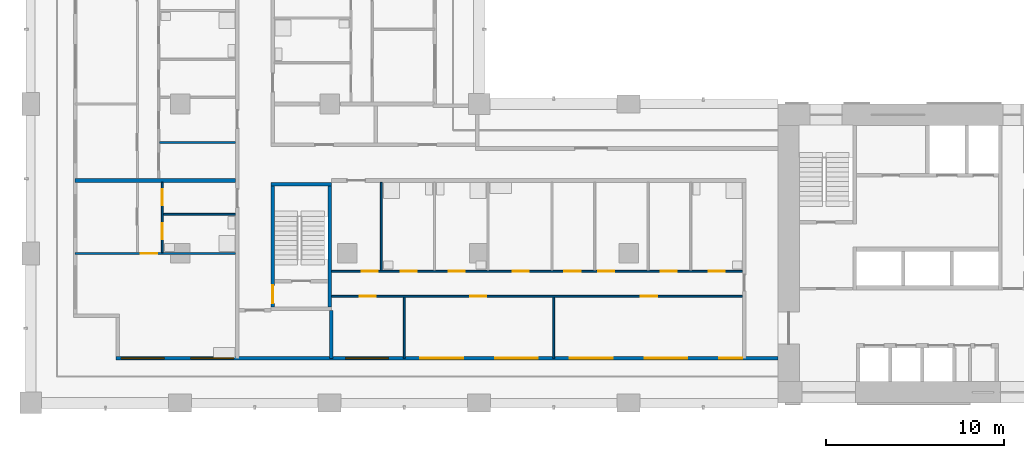
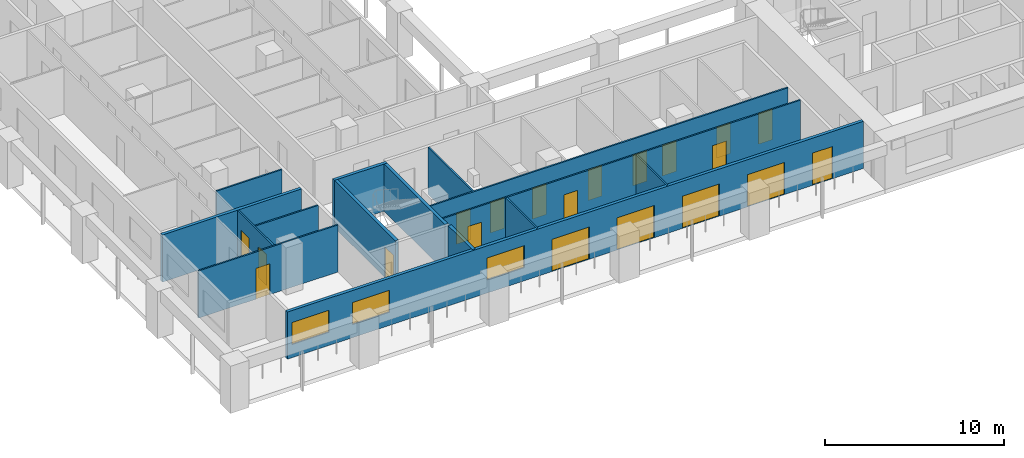
# One storey, part 2 of 16: 20 doors, 15 walls, 3 windows, 23 openings.
"""IFC4 building model written with IfcOpenShell, lengths in metres."""

from ifc_helpers import new_model, si_unit, direction, frame, frame_2d, origin, place, context, subcontext, project, spatial, rectangle, extrude, material, layer, layer_set, type_object, element, fill, save


model = new_model("IFC4")

# Units and contexts
model_context = context("Model", 3, precision=1e-05, world=origin(), true_north=direction((0.0, 1.0)))
body_context = subcontext(model_context, "Body", "Model", "MODEL_VIEW")
ifc_project = project(units=[si_unit("LENGTHUNIT", "METRE"), si_unit("AREAUNIT", "SQUARE_METRE"), si_unit("VOLUMEUNIT", "CUBIC_METRE"), si_unit("PLANEANGLEUNIT", "RADIAN"), si_unit("MASSUNIT", "GRAM", prefix="KILO")], contexts=[model_context])

# Site, building, storey
site_placement = place(None, origin())
site = spatial("IfcSite", under=ifc_project, at=site_placement, CompositionType="ELEMENT")
building_placement = place(site_placement, origin())
building = spatial("IfcBuilding", under=site, at=building_placement, Name="Vermilion Gate Residences", CompositionType="ELEMENT")
storey_placement = place(building_placement, frame((0.0, 0.0, 130.199951171875)))
storey = spatial("IfcBuildingStorey", under=building, at=storey_placement, Name="L33", CompositionType="ELEMENT", Elevation=130.199951171875)

# Wall, openings, doors, windows
ifc_material_1 = material(Name="Insulated steel stud wall with terracotta rainscreen", Category="masonry")
ifc_layer_1 = layer(ifc_material_1, 0.199951171875)
ifc_layer_set_1 = layer_set([ifc_layer_1], Name="EXTERNAL WALL 200 TERRACOTTA RAINSCREEN")
wall_type_1 = type_object("IfcWallType", Name="EXTERNAL WALL 200 TERRACOTTA RAINSCREEN", PredefinedType="SOLIDWALL", material=ifc_layer_set_1)
wall_1_placement = place(storey_placement, frame((4.800048828125, 10.89990234375, 0.0), z_axis=(0.0, 0.0, 1.0), x_axis=(1.0, 0.0, 0.0)))
wall_1 = element("IfcWall", 1, at=wall_1_placement, inside=storey, type_object=wall_type_1, Name="External wall", PredefinedType="SOLIDWALL", context=body_context, shape_type="SweptSolid", body=[
    extrude(rectangle(XDim=37.199951171875, YDim=0.199951171875, at=frame_2d((18.60009765625, 0.0))), origin(), (0.0, 0.0, 1.0), 3.219970703125),
])
opening_1_placement = place(wall_1_placement, frame((0.300048828125, 0.0, 0.89990234375)))
opening_1 = element("IfcOpeningElement", 2, at=opening_1_placement, cuts=wall_1, Name="Opening WE33012", PredefinedType="OPENING", context=body_context, shape_type="SweptSolid", body=[
    extrude(rectangle(XDim=2.39990234375, YDim=1.5, at=frame_2d((1.199951171875, 0.75))), frame((0.0, 0.10986328125, 0.0), z_axis=(0.0, -1.0, 0.0), x_axis=(1.0, 0.0, 0.0)), (0.0, 0.0, 1.0), 0.219970703125),
])
opening_2_placement = place(wall_1_placement, frame((4.199951171875, 0.0, 0.89990234375)))
opening_2 = element("IfcOpeningElement", 3, at=opening_2_placement, cuts=wall_1, Name="Opening WE33013", PredefinedType="OPENING", context=body_context, shape_type="SweptSolid", body=[
    extrude(rectangle(XDim=2.39990234375, YDim=1.5, at=frame_2d((1.199951171875, 0.75))), frame((0.0, 0.10986328125, 0.0), z_axis=(0.0, -1.0, 0.0), x_axis=(1.0, 0.0, 0.0)), (0.0, 0.0, 1.0), 0.219970703125),
])
opening_3_placement = place(wall_1_placement, frame((12.89990234375, 0.0, 0.89990234375)))
opening_3 = element("IfcOpeningElement", 4, at=opening_3_placement, cuts=wall_1, Name="Opening WE33014", PredefinedType="OPENING", context=body_context, shape_type="SweptSolid", body=[
    extrude(rectangle(XDim=2.39990234375, YDim=1.5, at=frame_2d((1.199951171875, 0.75))), frame((0.0, 0.10986328125, 0.0), z_axis=(0.0, -1.0, 0.0), x_axis=(1.0, 0.0, 0.0)), (0.0, 0.0, 1.0), 0.219970703125),
])
opening_4_placement = place(wall_1_placement, frame((17.10009765625, 0.0, 0.0)))
opening_4 = element("IfcOpeningElement", 5, at=opening_4_placement, cuts=wall_1, Name="Opening DE33015", PredefinedType="OPENING", context=body_context, shape_type="SweptSolid", body=[
    extrude(rectangle(XDim=2.39990234375, YDim=2.199951171875, at=frame_2d((1.199951171875, 1.10009765625))), frame((0.0, 0.10986328125, 0.0), z_axis=(0.0, -1.0, 0.0), x_axis=(1.0, 0.0, 0.0)), (0.0, 0.0, 1.0), 0.219970703125),
])
opening_5_placement = place(wall_1_placement, frame((21.300048828125, 0.0, 0.0)))
opening_5 = element("IfcOpeningElement", 6, at=opening_5_placement, cuts=wall_1, Name="Opening DE33016", PredefinedType="OPENING", context=body_context, shape_type="SweptSolid", body=[
    extrude(rectangle(XDim=2.39990234375, YDim=2.199951171875, at=frame_2d((1.199951171875, 1.10009765625))), frame((0.0, 0.10986328125, 0.0), z_axis=(0.0, -1.0, 0.0), x_axis=(1.0, 0.0, 0.0)), (0.0, 0.0, 1.0), 0.219970703125),
])
opening_6_placement = place(wall_1_placement, frame((25.5, 0.0, 0.0)))
opening_6 = element("IfcOpeningElement", 7, at=opening_6_placement, cuts=wall_1, Name="Opening DE33017", PredefinedType="OPENING", context=body_context, shape_type="SweptSolid", body=[
    extrude(rectangle(XDim=2.39990234375, YDim=2.199951171875, at=frame_2d((1.199951171875, 1.10009765625))), frame((0.0, 0.10986328125, 0.0), z_axis=(0.0, -1.0, 0.0), x_axis=(1.0, 0.0, 0.0)), (0.0, 0.0, 1.0), 0.219970703125),
])
opening_7_placement = place(wall_1_placement, frame((29.699951171875, 0.0, 0.0)))
opening_7 = element("IfcOpeningElement", 8, at=opening_7_placement, cuts=wall_1, Name="Opening DE33018", PredefinedType="OPENING", context=body_context, shape_type="SweptSolid", body=[
    extrude(rectangle(XDim=2.39990234375, YDim=2.199951171875, at=frame_2d((1.199951171875, 1.10009765625))), frame((0.0, 0.10986328125, 0.0), z_axis=(0.0, -1.0, 0.0), x_axis=(1.0, 0.0, 0.0)), (0.0, 0.0, 1.0), 0.219970703125),
])
opening_8_placement = place(wall_1_placement, frame((33.89990234375, 0.0, 0.0)))
opening_8 = element("IfcOpeningElement", 9, at=opening_8_placement, cuts=wall_1, Name="Opening DE33019", PredefinedType="OPENING", context=body_context, shape_type="SweptSolid", body=[
    extrude(rectangle(XDim=1.300048828125, YDim=2.199951171875, at=frame_2d((0.64990234375, 1.10009765625))), frame((0.0, 0.10986328125, 0.0), z_axis=(0.0, -1.0, 0.0), x_axis=(1.0, 0.0, 0.0)), (0.0, 0.0, 1.0), 0.219970703125),
])
ifc_material_2 = material(Name="Aluminium and clear glass", Category="aluminium")
door_type_1 = type_object("IfcDoorType", Name="SLIDING GLAZED DOOR 1300 X 2200", OperationType="DOUBLE_DOOR_SLIDING", PredefinedType="DOOR", material=ifc_material_2)
door_1_placement = place(opening_8_placement, origin())
door_1 = element("IfcDoor", 10, at=door_1_placement, inside=storey, type_object=door_type_1, Name="Loggia sliding door", OperationType="DOUBLE_DOOR_SLIDING", OverallHeight=2.199951171875, OverallWidth=1.300048828125, PredefinedType="DOOR", context=body_context, shape_type="SweptSolid", body=[
    extrude(rectangle(XDim=1.300048828125, YDim=2.199951171875, at=frame_2d((0.64990234375, 1.10009765625))), frame((0.0, 0.02490234375, 0.0), z_axis=(0.0, -1.0, 0.0), x_axis=(1.0, 0.0, 0.0)), (0.0, 0.0, 1.0), 0.050048828125),
])
fill(opening_8, door_1)
ifc_material_3 = material(Name="Aluminium and clear glass", Category="aluminium")
door_type_2 = type_object("IfcDoorType", Name="SLIDING GLAZED DOOR 2400 X 2200", OperationType="DOUBLE_DOOR_SLIDING", PredefinedType="DOOR", material=ifc_material_3)
door_2_placement = place(opening_4_placement, origin())
door_2 = element("IfcDoor", 11, at=door_2_placement, inside=storey, type_object=door_type_2, Name="Loggia sliding door", OperationType="DOUBLE_DOOR_SLIDING", OverallHeight=2.199951171875, OverallWidth=2.39990234375, PredefinedType="DOOR", context=body_context, shape_type="SweptSolid", body=[
    extrude(rectangle(XDim=2.39990234375, YDim=2.199951171875, at=frame_2d((1.199951171875, 1.10009765625))), frame((0.0, 0.02490234375, 0.0), z_axis=(0.0, -1.0, 0.0), x_axis=(1.0, 0.0, 0.0)), (0.0, 0.0, 1.0), 0.050048828125),
])
fill(opening_4, door_2)
door_3_placement = place(opening_5_placement, origin())
door_3 = element("IfcDoor", 12, at=door_3_placement, inside=storey, type_object=door_type_2, Name="Loggia sliding door", OperationType="DOUBLE_DOOR_SLIDING", OverallHeight=2.199951171875, OverallWidth=2.39990234375, PredefinedType="DOOR", context=body_context, shape_type="SweptSolid", body=[
    extrude(rectangle(XDim=2.39990234375, YDim=2.199951171875, at=frame_2d((1.199951171875, 1.10009765625))), frame((0.0, 0.02490234375, 0.0), z_axis=(0.0, -1.0, 0.0), x_axis=(1.0, 0.0, 0.0)), (0.0, 0.0, 1.0), 0.050048828125),
])
fill(opening_5, door_3)
door_4_placement = place(opening_6_placement, origin())
door_4 = element("IfcDoor", 13, at=door_4_placement, inside=storey, type_object=door_type_2, Name="Loggia sliding door", OperationType="DOUBLE_DOOR_SLIDING", OverallHeight=2.199951171875, OverallWidth=2.39990234375, PredefinedType="DOOR", context=body_context, shape_type="SweptSolid", body=[
    extrude(rectangle(XDim=2.39990234375, YDim=2.199951171875, at=frame_2d((1.199951171875, 1.10009765625))), frame((0.0, 0.02490234375, 0.0), z_axis=(0.0, -1.0, 0.0), x_axis=(1.0, 0.0, 0.0)), (0.0, 0.0, 1.0), 0.050048828125),
])
fill(opening_6, door_4)
door_5_placement = place(opening_7_placement, origin())
door_5 = element("IfcDoor", 14, at=door_5_placement, inside=storey, type_object=door_type_2, Name="Loggia sliding door", OperationType="DOUBLE_DOOR_SLIDING", OverallHeight=2.199951171875, OverallWidth=2.39990234375, PredefinedType="DOOR", context=body_context, shape_type="SweptSolid", body=[
    extrude(rectangle(XDim=2.39990234375, YDim=2.199951171875, at=frame_2d((1.199951171875, 1.10009765625))), frame((0.0, 0.02490234375, 0.0), z_axis=(0.0, -1.0, 0.0), x_axis=(1.0, 0.0, 0.0)), (0.0, 0.0, 1.0), 0.050048828125),
])
fill(opening_7, door_5)
ifc_material_4 = material(Name="Aluminium and clear glass", Category="aluminium")
window_type = type_object("IfcWindowType", Name="WINDOW 2400 X 1500", PartitioningType="SINGLE_PANEL", PredefinedType="WINDOW", material=ifc_material_4)
window_1_placement = place(opening_1_placement, origin())
window_1 = element("IfcWindow", 15, at=window_1_placement, inside=storey, type_object=window_type, Name="Window", OverallHeight=1.5, OverallWidth=2.39990234375, PartitioningType="SINGLE_PANEL", PredefinedType="WINDOW", context=body_context, shape_type="SweptSolid", body=[
    extrude(rectangle(XDim=2.39990234375, YDim=1.5, at=frame_2d((1.199951171875, 0.75))), frame((0.0, 0.030029296875, 0.0), z_axis=(0.0, -1.0, 0.0), x_axis=(1.0, 0.0, 0.0)), (0.0, 0.0, 1.0), 0.06005859375),
])
fill(opening_1, window_1)
window_2_placement = place(opening_2_placement, origin())
window_2 = element("IfcWindow", 16, at=window_2_placement, inside=storey, type_object=window_type, Name="Window", OverallHeight=1.5, OverallWidth=2.39990234375, PartitioningType="SINGLE_PANEL", PredefinedType="WINDOW", context=body_context, shape_type="SweptSolid", body=[
    extrude(rectangle(XDim=2.39990234375, YDim=1.5, at=frame_2d((1.199951171875, 0.75))), frame((0.0, 0.030029296875, 0.0), z_axis=(0.0, -1.0, 0.0), x_axis=(1.0, 0.0, 0.0)), (0.0, 0.0, 1.0), 0.06005859375),
])
fill(opening_2, window_2)
window_3_placement = place(opening_3_placement, origin())
window_3 = element("IfcWindow", 17, at=window_3_placement, inside=storey, type_object=window_type, Name="Window", OverallHeight=1.5, OverallWidth=2.39990234375, PartitioningType="SINGLE_PANEL", PredefinedType="WINDOW", context=body_context, shape_type="SweptSolid", body=[
    extrude(rectangle(XDim=2.39990234375, YDim=1.5, at=frame_2d((1.199951171875, 0.75))), frame((0.0, 0.030029296875, 0.0), z_axis=(0.0, -1.0, 0.0), x_axis=(1.0, 0.0, 0.0)), (0.0, 0.0, 1.0), 0.06005859375),
])
fill(opening_3, window_3)

# Wall, openings, doors
ifc_material_5 = material(Name="Plasterboard on steel studs", Category="steel")
ifc_layer_2 = layer(ifc_material_5, 0.10009765625)
ifc_layer_set_2 = layer_set([ifc_layer_2], Name="PARTITION 100")
wall_type_2 = type_object("IfcWallType", Name="PARTITION 100", PredefinedType="PARTITIONING", material=ifc_layer_set_2)
wall_2_placement = place(storey_placement, frame((16.89990234375, 14.39990234375, 0.0), z_axis=(0.0, 0.0, 1.0), x_axis=(1.0, 0.0, 0.0)))
wall_2 = element("IfcWall", 18, at=wall_2_placement, inside=storey, type_object=wall_type_2, Name="Partition", PredefinedType="PARTITIONING", context=body_context, shape_type="SweptSolid", body=[
    extrude(rectangle(XDim=23.10009765625, YDim=0.10009765625, at=frame_2d((11.550048828125, 0.0))), origin(), (0.0, 0.0, 1.0), 3.219970703125),
])
opening_9_placement = place(wall_2_placement, frame((1.60009765625, 0.0, 0.0)))
opening_9 = element("IfcOpeningElement", 19, at=opening_9_placement, cuts=wall_2, Name="Opening DA32002", PredefinedType="OPENING", context=body_context, shape_type="SweptSolid", body=[
    extrude(rectangle(XDim=0.89990234375, YDim=2.10009765625, at=frame_2d((0.449951171875, 1.050048828125))), frame((0.0, 0.06005859375, 0.0), z_axis=(0.0, -1.0, 0.0), x_axis=(1.0, 0.0, 0.0)), (0.0, 0.0, 1.0), 0.1201171875),
])
opening_10_placement = place(wall_2_placement, frame((7.800048828125, 0.0, 0.0)))
opening_10 = element("IfcOpeningElement", 20, at=opening_10_placement, cuts=wall_2, Name="Opening DA32003", PredefinedType="OPENING", context=body_context, shape_type="SweptSolid", body=[
    extrude(rectangle(XDim=0.89990234375, YDim=2.10009765625, at=frame_2d((0.449951171875, 1.050048828125))), frame((0.0, 0.06005859375, 0.0), z_axis=(0.0, -1.0, 0.0), x_axis=(1.0, 0.0, 0.0)), (0.0, 0.0, 1.0), 0.1201171875),
])
opening_11_placement = place(wall_2_placement, frame((17.39990234375, 0.0, 0.0)))
opening_11 = element("IfcOpeningElement", 21, at=opening_11_placement, cuts=wall_2, Name="Opening DA32004", PredefinedType="OPENING", context=body_context, shape_type="SweptSolid", body=[
    extrude(rectangle(XDim=0.89990234375, YDim=2.10009765625, at=frame_2d((0.449951171875, 1.050048828125))), frame((0.0, 0.06005859375, 0.0), z_axis=(0.0, -1.0, 0.0), x_axis=(1.0, 0.0, 0.0)), (0.0, 0.0, 1.0), 0.1201171875),
])
ifc_material_6 = material(Name="Timber", Category="wood")
door_type_3 = type_object("IfcDoorType", Name="INTERIOR DOOR 900 X 2100", OperationType="SINGLE_SWING_LEFT", PredefinedType="DOOR", material=ifc_material_6)
door_6_placement = place(opening_9_placement, frame((0.89990234375, 0.0, 0.0), z_axis=(0.0, 0.0, 1.0), x_axis=(-1.0, 0.0, 0.0)))
door_6 = element("IfcDoor", 22, at=door_6_placement, inside=storey, type_object=door_type_3, Name="Interior door", OperationType="SINGLE_SWING_LEFT", OverallHeight=2.10009765625, OverallWidth=0.89990234375, PredefinedType="DOOR", context=body_context, shape_type="SweptSolid", body=[
    extrude(rectangle(XDim=0.89990234375, YDim=2.10009765625, at=frame_2d((0.449951171875, 1.050048828125))), frame((0.0, 0.02490234375, 0.0), z_axis=(0.0, -1.0, 0.0), x_axis=(1.0, 0.0, 0.0)), (0.0, 0.0, 1.0), 0.050048828125),
])
fill(opening_9, door_6)
door_7_placement = place(opening_10_placement, frame((0.89990234375, 0.0, 0.0), z_axis=(0.0, 0.0, 1.0), x_axis=(-1.0, 0.0, 0.0)))
door_7 = element("IfcDoor", 23, at=door_7_placement, inside=storey, type_object=door_type_3, Name="Interior door", OperationType="SINGLE_SWING_RIGHT", OverallHeight=2.10009765625, OverallWidth=0.89990234375, PredefinedType="DOOR", context=body_context, shape_type="SweptSolid", body=[
    extrude(rectangle(XDim=0.89990234375, YDim=2.10009765625, at=frame_2d((0.449951171875, 1.050048828125))), frame((0.0, 0.02490234375, 0.0), z_axis=(0.0, -1.0, 0.0), x_axis=(1.0, 0.0, 0.0)), (0.0, 0.0, 1.0), 0.050048828125),
])
fill(opening_10, door_7)
door_8_placement = place(opening_11_placement, frame((0.89990234375, 0.0, 0.0), z_axis=(0.0, 0.0, 1.0), x_axis=(-1.0, 0.0, 0.0)))
door_8 = element("IfcDoor", 24, at=door_8_placement, inside=storey, type_object=door_type_3, Name="Interior door", OperationType="SINGLE_SWING_RIGHT", OverallHeight=2.10009765625, OverallWidth=0.89990234375, PredefinedType="DOOR", context=body_context, shape_type="SweptSolid", body=[
    extrude(rectangle(XDim=0.89990234375, YDim=2.10009765625, at=frame_2d((0.449951171875, 1.050048828125))), frame((0.0, 0.02490234375, 0.0), z_axis=(0.0, -1.0, 0.0), x_axis=(1.0, 0.0, 0.0)), (0.0, 0.0, 1.0), 0.050048828125),
])
fill(opening_11, door_8)

wall_3_placement = place(storey_placement, frame((16.89990234375, 15.800048828125, 0.0), z_axis=(0.0, 0.0, 1.0), x_axis=(1.0, 0.0, 0.0)))
wall_3 = element("IfcWall", 25, at=wall_3_placement, inside=storey, type_object=wall_type_2, Name="Partition", PredefinedType="PARTITIONING", context=body_context, shape_type="SweptSolid", body=[
    extrude(rectangle(XDim=23.10009765625, YDim=0.10009765625, at=frame_2d((11.550048828125, 0.0))), origin(), (0.0, 0.0, 1.0), 3.219970703125),
])
opening_12_placement = place(wall_3_placement, frame((1.699951171875, 0.0, 0.0)))
opening_12 = element("IfcOpeningElement", 26, at=opening_12_placement, cuts=wall_3, Name="Opening DA32005", PredefinedType="OPENING", context=body_context, shape_type="SweptSolid", body=[
    extrude(rectangle(XDim=0.89990234375, YDim=2.10009765625, at=frame_2d((0.449951171875, 1.050048828125))), frame((0.0, 0.06005859375, 0.0), z_axis=(0.0, -1.0, 0.0), x_axis=(1.0, 0.0, 0.0)), (0.0, 0.0, 1.0), 0.1201171875),
])
opening_13_placement = place(wall_3_placement, frame((3.89990234375, 0.0, 0.0)))
opening_13 = element("IfcOpeningElement", 27, at=opening_13_placement, cuts=wall_3, Name="Opening DA32006", PredefinedType="OPENING", context=body_context, shape_type="SweptSolid", body=[
    extrude(rectangle(XDim=0.89990234375, YDim=2.10009765625, at=frame_2d((0.449951171875, 1.050048828125))), frame((0.0, 0.06005859375, 0.0), z_axis=(0.0, -1.0, 0.0), x_axis=(1.0, 0.0, 0.0)), (0.0, 0.0, 1.0), 0.1201171875),
])
opening_14_placement = place(wall_3_placement, frame((6.60009765625, 0.0, 0.0)))
opening_14 = element("IfcOpeningElement", 28, at=opening_14_placement, cuts=wall_3, Name="Opening DA32007", PredefinedType="OPENING", context=body_context, shape_type="SweptSolid", body=[
    extrude(rectangle(XDim=0.89990234375, YDim=2.10009765625, at=frame_2d((0.449951171875, 1.050048828125))), frame((0.0, 0.06005859375, 0.0), z_axis=(0.0, -1.0, 0.0), x_axis=(1.0, 0.0, 0.0)), (0.0, 0.0, 1.0), 0.1201171875),
])
opening_15_placement = place(wall_3_placement, frame((10.199951171875, 0.0, 0.0)))
opening_15 = element("IfcOpeningElement", 29, at=opening_15_placement, cuts=wall_3, Name="Opening DA32008", PredefinedType="OPENING", context=body_context, shape_type="SweptSolid", body=[
    extrude(rectangle(XDim=0.89990234375, YDim=2.10009765625, at=frame_2d((0.449951171875, 1.050048828125))), frame((0.0, 0.06005859375, 0.0), z_axis=(0.0, -1.0, 0.0), x_axis=(1.0, 0.0, 0.0)), (0.0, 0.0, 1.0), 0.1201171875),
])
opening_16_placement = place(wall_3_placement, frame((13.10009765625, 0.0, 0.0)))
opening_16 = element("IfcOpeningElement", 30, at=opening_16_placement, cuts=wall_3, Name="Opening DA32009", PredefinedType="OPENING", context=body_context, shape_type="SweptSolid", body=[
    extrude(rectangle(XDim=0.89990234375, YDim=2.10009765625, at=frame_2d((0.449951171875, 1.050048828125))), frame((0.0, 0.06005859375, 0.0), z_axis=(0.0, -1.0, 0.0), x_axis=(1.0, 0.0, 0.0)), (0.0, 0.0, 1.0), 0.1201171875),
])
opening_17_placement = place(wall_3_placement, frame((15.0, 0.0, 0.0)))
opening_17 = element("IfcOpeningElement", 31, at=opening_17_placement, cuts=wall_3, Name="Opening DA32010", PredefinedType="OPENING", context=body_context, shape_type="SweptSolid", body=[
    extrude(rectangle(XDim=0.89990234375, YDim=2.10009765625, at=frame_2d((0.449951171875, 1.050048828125))), frame((0.0, 0.06005859375, 0.0), z_axis=(0.0, -1.0, 0.0), x_axis=(1.0, 0.0, 0.0)), (0.0, 0.0, 1.0), 0.1201171875),
])
opening_18_placement = place(wall_3_placement, frame((18.5, 0.0, 0.0)))
opening_18 = element("IfcOpeningElement", 32, at=opening_18_placement, cuts=wall_3, Name="Opening DA32011", PredefinedType="OPENING", context=body_context, shape_type="SweptSolid", body=[
    extrude(rectangle(XDim=0.89990234375, YDim=2.10009765625, at=frame_2d((0.449951171875, 1.050048828125))), frame((0.0, 0.06005859375, 0.0), z_axis=(0.0, -1.0, 0.0), x_axis=(1.0, 0.0, 0.0)), (0.0, 0.0, 1.0), 0.1201171875),
])
opening_19_placement = place(wall_3_placement, frame((21.199951171875, 0.0, 0.0)))
opening_19 = element("IfcOpeningElement", 33, at=opening_19_placement, cuts=wall_3, Name="Opening DA32012", PredefinedType="OPENING", context=body_context, shape_type="SweptSolid", body=[
    extrude(rectangle(XDim=0.89990234375, YDim=2.10009765625, at=frame_2d((0.449951171875, 1.050048828125))), frame((0.0, 0.06005859375, 0.0), z_axis=(0.0, -1.0, 0.0), x_axis=(1.0, 0.0, 0.0)), (0.0, 0.0, 1.0), 0.1201171875),
])
door_9_placement = place(opening_12_placement, origin())
door_9 = element("IfcDoor", 34, at=door_9_placement, inside=storey, type_object=door_type_3, Name="Interior door", OperationType="SINGLE_SWING_RIGHT", OverallHeight=2.10009765625, OverallWidth=0.89990234375, PredefinedType="DOOR", context=body_context, shape_type="SweptSolid", body=[
    extrude(rectangle(XDim=0.89990234375, YDim=2.10009765625, at=frame_2d((0.449951171875, 1.050048828125))), frame((0.0, 0.02490234375, 0.0), z_axis=(0.0, -1.0, 0.0), x_axis=(1.0, 0.0, 0.0)), (0.0, 0.0, 1.0), 0.050048828125),
])
fill(opening_12, door_9)
door_10_placement = place(opening_13_placement, origin())
door_10 = element("IfcDoor", 35, at=door_10_placement, inside=storey, type_object=door_type_3, Name="Interior door", OperationType="SINGLE_SWING_LEFT", OverallHeight=2.10009765625, OverallWidth=0.89990234375, PredefinedType="DOOR", context=body_context, shape_type="SweptSolid", body=[
    extrude(rectangle(XDim=0.89990234375, YDim=2.10009765625, at=frame_2d((0.449951171875, 1.050048828125))), frame((0.0, 0.02490234375, 0.0), z_axis=(0.0, -1.0, 0.0), x_axis=(1.0, 0.0, 0.0)), (0.0, 0.0, 1.0), 0.050048828125),
])
fill(opening_13, door_10)
door_11_placement = place(opening_14_placement, origin())
door_11 = element("IfcDoor", 36, at=door_11_placement, inside=storey, type_object=door_type_3, Name="Interior door", OperationType="SINGLE_SWING_RIGHT", OverallHeight=2.10009765625, OverallWidth=0.89990234375, PredefinedType="DOOR", context=body_context, shape_type="SweptSolid", body=[
    extrude(rectangle(XDim=0.89990234375, YDim=2.10009765625, at=frame_2d((0.449951171875, 1.050048828125))), frame((0.0, 0.02490234375, 0.0), z_axis=(0.0, -1.0, 0.0), x_axis=(1.0, 0.0, 0.0)), (0.0, 0.0, 1.0), 0.050048828125),
])
fill(opening_14, door_11)
door_12_placement = place(opening_15_placement, origin())
door_12 = element("IfcDoor", 37, at=door_12_placement, inside=storey, type_object=door_type_3, Name="Interior door", OperationType="SINGLE_SWING_RIGHT", OverallHeight=2.10009765625, OverallWidth=0.89990234375, PredefinedType="DOOR", context=body_context, shape_type="SweptSolid", body=[
    extrude(rectangle(XDim=0.89990234375, YDim=2.10009765625, at=frame_2d((0.449951171875, 1.050048828125))), frame((0.0, 0.02490234375, 0.0), z_axis=(0.0, -1.0, 0.0), x_axis=(1.0, 0.0, 0.0)), (0.0, 0.0, 1.0), 0.050048828125),
])
fill(opening_15, door_12)
door_13_placement = place(opening_16_placement, origin())
door_13 = element("IfcDoor", 38, at=door_13_placement, inside=storey, type_object=door_type_3, Name="Interior door", OperationType="SINGLE_SWING_LEFT", OverallHeight=2.10009765625, OverallWidth=0.89990234375, PredefinedType="DOOR", context=body_context, shape_type="SweptSolid", body=[
    extrude(rectangle(XDim=0.89990234375, YDim=2.10009765625, at=frame_2d((0.449951171875, 1.050048828125))), frame((0.0, 0.02490234375, 0.0), z_axis=(0.0, -1.0, 0.0), x_axis=(1.0, 0.0, 0.0)), (0.0, 0.0, 1.0), 0.050048828125),
])
fill(opening_16, door_13)
door_14_placement = place(opening_17_placement, origin())
door_14 = element("IfcDoor", 39, at=door_14_placement, inside=storey, type_object=door_type_3, Name="Interior door", OperationType="SINGLE_SWING_LEFT", OverallHeight=2.10009765625, OverallWidth=0.89990234375, PredefinedType="DOOR", context=body_context, shape_type="SweptSolid", body=[
    extrude(rectangle(XDim=0.89990234375, YDim=2.10009765625, at=frame_2d((0.449951171875, 1.050048828125))), frame((0.0, 0.02490234375, 0.0), z_axis=(0.0, -1.0, 0.0), x_axis=(1.0, 0.0, 0.0)), (0.0, 0.0, 1.0), 0.050048828125),
])
fill(opening_17, door_14)
door_15_placement = place(opening_18_placement, origin())
door_15 = element("IfcDoor", 40, at=door_15_placement, inside=storey, type_object=door_type_3, Name="Interior door", OperationType="SINGLE_SWING_LEFT", OverallHeight=2.10009765625, OverallWidth=0.89990234375, PredefinedType="DOOR", context=body_context, shape_type="SweptSolid", body=[
    extrude(rectangle(XDim=0.89990234375, YDim=2.10009765625, at=frame_2d((0.449951171875, 1.050048828125))), frame((0.0, 0.02490234375, 0.0), z_axis=(0.0, -1.0, 0.0), x_axis=(1.0, 0.0, 0.0)), (0.0, 0.0, 1.0), 0.050048828125),
])
fill(opening_18, door_15)
door_16_placement = place(opening_19_placement, origin())
door_16 = element("IfcDoor", 41, at=door_16_placement, inside=storey, type_object=door_type_3, Name="Interior door", OperationType="SINGLE_SWING_RIGHT", OverallHeight=2.10009765625, OverallWidth=0.89990234375, PredefinedType="DOOR", context=body_context, shape_type="SweptSolid", body=[
    extrude(rectangle(XDim=0.89990234375, YDim=2.10009765625, at=frame_2d((0.449951171875, 1.050048828125))), frame((0.0, 0.02490234375, 0.0), z_axis=(0.0, -1.0, 0.0), x_axis=(1.0, 0.0, 0.0)), (0.0, 0.0, 1.0), 0.050048828125),
])
fill(opening_19, door_16)

# Wall, opening, door
wall_4_placement = place(storey_placement, frame((2.5, 16.800048828125, 0.0), z_axis=(0.0, 0.0, 1.0), x_axis=(1.0, 0.0, 0.0)))
wall_4 = element("IfcWall", 42, at=wall_4_placement, inside=storey, type_object=wall_type_2, Name="Partition", PredefinedType="PARTITIONING", context=body_context, shape_type="SweptSolid", body=[
    extrude(rectangle(XDim=9.0, YDim=0.10009765625, at=frame_2d((4.5, 0.0))), origin(), (0.0, 0.0, 1.0), 3.219970703125),
])
opening_20_placement = place(wall_4_placement, frame((3.699951171875, 0.0, 0.0)))
opening_20 = element("IfcOpeningElement", 43, at=opening_20_placement, cuts=wall_4, Name="Opening DA32013", PredefinedType="OPENING", context=body_context, shape_type="SweptSolid", body=[
    extrude(rectangle(XDim=0.89990234375, YDim=2.10009765625, at=frame_2d((0.449951171875, 1.050048828125))), frame((0.0, 0.06005859375, 0.0), z_axis=(0.0, -1.0, 0.0), x_axis=(1.0, 0.0, 0.0)), (0.0, 0.0, 1.0), 0.1201171875),
])
door_17_placement = place(opening_20_placement, frame((0.89990234375, 0.0, 0.0), z_axis=(0.0, 0.0, 1.0), x_axis=(-1.0, 0.0, 0.0)))
door_17 = element("IfcDoor", 44, at=door_17_placement, inside=storey, type_object=door_type_3, Name="Interior door", OperationType="SINGLE_SWING_LEFT", OverallHeight=2.10009765625, OverallWidth=0.89990234375, PredefinedType="DOOR", context=body_context, shape_type="SweptSolid", body=[
    extrude(rectangle(XDim=0.89990234375, YDim=2.10009765625, at=frame_2d((0.449951171875, 1.050048828125))), frame((0.0, 0.02490234375, 0.0), z_axis=(0.0, -1.0, 0.0), x_axis=(1.0, 0.0, 0.0)), (0.0, 0.0, 1.0), 0.050048828125),
])
fill(opening_20, door_17)

# Walls
wall_5_placement = place(storey_placement, frame((7.449951171875, 19.0, 0.0), z_axis=(0.0, 0.0, 1.0), x_axis=(1.0, 0.0, 0.0)))
element("IfcWall", 45, at=wall_5_placement, inside=storey, type_object=wall_type_2, Name="Partition", PredefinedType="PARTITIONING", context=body_context, shape_type="SweptSolid", body=[
    extrude(rectangle(XDim=4.050048828125, YDim=0.10009765625, at=frame_2d((2.02490234375, 0.0))), origin(), (0.0, 0.0, 1.0), 3.219970703125),
])
wall_6_placement = place(storey_placement, frame((7.25, 23.037109375, 0.0), z_axis=(0.0, 0.0, 1.0), x_axis=(1.0, 0.0, 0.0)))
element("IfcWall", 46, at=wall_6_placement, inside=storey, type_object=wall_type_2, Name="Partition", PredefinedType="PARTITIONING", context=body_context, shape_type="SweptSolid", body=[
    extrude(rectangle(XDim=4.25, YDim=0.10009765625, at=frame_2d((2.125, 0.0))), origin(), (0.0, 0.0, 1.0), 3.219970703125),
])

# Wall, openings, doors
wall_7_placement = place(storey_placement, frame((7.39990234375, 16.85009765625, 0.0), z_axis=(0.0, 0.0, 1.0), x_axis=(0.0, 1.0, 0.0)))
wall_7 = element("IfcWall", 47, at=wall_7_placement, inside=storey, type_object=wall_type_2, Name="Partition", PredefinedType="PARTITIONING", context=body_context, shape_type="SweptSolid", body=[
    extrude(rectangle(XDim=3.949951171875, YDim=0.10009765625, at=frame_2d((1.97509765625, 0.0))), origin(), (0.0, 0.0, 1.0), 3.219970703125),
])
opening_21_placement = place(wall_7_placement, frame((2.64990234375, 0.0, 0.0)))
opening_21 = element("IfcOpeningElement", 48, at=opening_21_placement, cuts=wall_7, Name="Opening DA32034", PredefinedType="OPENING", context=body_context, shape_type="SweptSolid", body=[
    extrude(rectangle(XDim=0.89990234375, YDim=2.10009765625, at=frame_2d((0.449951171875, 1.050048828125))), frame((0.0, 0.06005859375, 0.0), z_axis=(0.0, -1.0, 0.0), x_axis=(1.0, 0.0, 0.0)), (0.0, 0.0, 1.0), 0.1201171875),
])
opening_22_placement = place(wall_7_placement, frame((0.75, 0.0, 0.0)))
opening_22 = element("IfcOpeningElement", 49, at=opening_22_placement, cuts=wall_7, Name="Opening DA32035", PredefinedType="OPENING", context=body_context, shape_type="SweptSolid", body=[
    extrude(rectangle(XDim=0.89990234375, YDim=2.10009765625, at=frame_2d((0.449951171875, 1.050048828125))), frame((0.0, 0.06005859375, 0.0), z_axis=(0.0, -1.0, 0.0), x_axis=(1.0, 0.0, 0.0)), (0.0, 0.0, 1.0), 0.1201171875),
])
door_18_placement = place(opening_21_placement, origin())
door_18 = element("IfcDoor", 50, at=door_18_placement, inside=storey, type_object=door_type_3, Name="Interior door", OperationType="SINGLE_SWING_RIGHT", OverallHeight=2.10009765625, OverallWidth=0.89990234375, PredefinedType="DOOR", context=body_context, shape_type="SweptSolid", body=[
    extrude(rectangle(XDim=0.89990234375, YDim=2.10009765625, at=frame_2d((0.449951171875, 1.050048828125))), frame((0.0, 0.02490234375, 0.0), z_axis=(0.0, -1.0, 0.0), x_axis=(1.0, 0.0, 0.0)), (0.0, 0.0, 1.0), 0.050048828125),
])
fill(opening_21, door_18)
door_19_placement = place(opening_22_placement, frame((0.89990234375, 0.0, 0.0), z_axis=(0.0, 0.0, 1.0), x_axis=(-1.0, 0.0, 0.0)))
door_19 = element("IfcDoor", 51, at=door_19_placement, inside=storey, type_object=door_type_3, Name="Interior door", OperationType="SINGLE_SWING_RIGHT", OverallHeight=2.10009765625, OverallWidth=0.89990234375, PredefinedType="DOOR", context=body_context, shape_type="SweptSolid", body=[
    extrude(rectangle(XDim=0.89990234375, YDim=2.10009765625, at=frame_2d((0.449951171875, 1.050048828125))), frame((0.0, 0.02490234375, 0.0), z_axis=(0.0, -1.0, 0.0), x_axis=(1.0, 0.0, 0.0)), (0.0, 0.0, 1.0), 0.050048828125),
])
fill(opening_22, door_19)

# Walls
wall_8_placement = place(storey_placement, frame((19.699951171875, 15.85009765625, 0.0), z_axis=(0.0, 0.0, 1.0), x_axis=(0.0, 1.0, 0.0)))
element("IfcWall", 52, at=wall_8_placement, inside=storey, type_object=wall_type_2, Name="Partition", PredefinedType="PARTITIONING", context=body_context, shape_type="SweptSolid", body=[
    extrude(rectangle(XDim=4.949951171875, YDim=0.10009765625, at=frame_2d((2.47509765625, 0.0))), origin(), (0.0, 0.0, 1.0), 3.219970703125),
])
for number, where, z_axis, x_axis, name in (
    (53, (21.0, 10.89990234375, 0.0), (0.0, 0.0, 1.0), (0.0, 1.0, 0.0), "Partition"),
    (54, (29.39990234375, 10.89990234375, 0.0), (0.0, 0.0, 1.0), (0.0, 1.0, 0.0), "Partition"),
):
    element("IfcWall", number, at=place(storey_placement, frame(where, z_axis=z_axis, x_axis=x_axis)), inside=storey, type_object=wall_type_2, Name=name, PredefinedType="PARTITIONING", context=body_context, shape_type="SweptSolid", body=[
        extrude(rectangle(XDim=3.4501953125, YDim=0.10009765625, at=frame_2d((1.72509765625, 0.0))), origin(), (0.0, 0.0, 1.0), 3.219970703125),
    ])
ifc_material_7 = material(Name="Fire-rated plasterboard on steel studs", Category="steel")
ifc_layer_3 = layer(ifc_material_7, 0.199951171875)
ifc_layer_set_3 = layer_set([ifc_layer_3], Name="PARTY WALL 200 EI 120")
wall_type_3 = type_object("IfcWallType", Name="PARTY WALL 200 EI 120", PredefinedType="PARTITIONING", material=ifc_layer_set_3)
wall_9_placement = place(storey_placement, frame((2.5, 20.89990234375, 0.0), z_axis=(0.0, 0.0, 1.0), x_axis=(1.0, 0.0, 0.0)))
element("IfcWall", 55, at=wall_9_placement, inside=storey, type_object=wall_type_3, Name="Party and corridor wall", PredefinedType="PARTITIONING", context=body_context, shape_type="SweptSolid", body=[
    extrude(rectangle(XDim=9.0, YDim=0.199951171875, at=frame_2d((4.5, 0.0))), origin(), (0.0, 0.0, 1.0), 3.219970703125),
])
wall_10_placement = place(storey_placement, frame((16.89990234375, 10.89990234375, 0.0), z_axis=(0.0, 0.0, 1.0), x_axis=(0.0, 1.0, 0.0)))
element("IfcWall", 56, at=wall_10_placement, inside=storey, type_object=wall_type_3, Name="Party and corridor wall", PredefinedType="PARTITIONING", context=body_context, shape_type="SweptSolid", body=[
    extrude(rectangle(XDim=2.7001953125, YDim=0.199951171875, at=frame_2d((1.35009765625, 0.0))), origin(), (0.0, 0.0, 1.0), 3.219970703125),
])

# Wall, opening, door
ifc_material_8 = material(Name="Concrete C60", Category="concrete")
ifc_layer_4 = layer(ifc_material_8, 0.199951171875)
ifc_layer_set_4 = layer_set([ifc_layer_4], Name="RC CORE INTERNAL WALL 200 C60")
wall_type_4 = type_object("IfcWallType", Name="RC CORE INTERNAL WALL 200 C60", PredefinedType="SHEAR", material=ifc_layer_set_4)
wall_11_placement = place(storey_placement, frame((13.60009765625, 13.800048828125, 0.0), z_axis=(0.0, 0.0, 1.0), x_axis=(0.0, 1.0, 0.0)))
wall_11 = element("IfcWall", 57, at=wall_11_placement, inside=storey, type_object=wall_type_4, Name="Core internal wall C33-W", PredefinedType="SHEAR", context=body_context, shape_type="SweptSolid", body=[
    extrude(rectangle(XDim=6.800048828125, YDim=0.199951171875, at=frame_2d((3.39990234375, 0.0))), origin(), (0.0, 0.0, 1.0), 3.219970703125),
])
opening_23_placement = place(wall_11_placement, frame((0.199951171875, 0.0, 0.0)))
opening_23 = element("IfcOpeningElement", 58, at=opening_23_placement, cuts=wall_11, Name="Opening DK33201", PredefinedType="OPENING", context=body_context, shape_type="SweptSolid", body=[
    extrude(rectangle(XDim=1.0, YDim=2.10009765625, at=frame_2d((0.5, 1.050048828125))), frame((0.0, 0.10986328125, 0.0), z_axis=(0.0, -1.0, 0.0), x_axis=(1.0, 0.0, 0.0)), (0.0, 0.0, 1.0), 0.219970703125),
])
ifc_material_9 = material(Name="Steel", Category="steel")
door_type_4 = type_object("IfcDoorType", Name="FIRE DOOR FD60 1000 X 2100", OperationType="SINGLE_SWING_LEFT", PredefinedType="DOOR", material=ifc_material_9)
door_20_placement = place(opening_23_placement, frame((1.0, 0.0, 0.0), z_axis=(0.0, 0.0, 1.0), x_axis=(-1.0, 0.0, 0.0)))
door_20 = element("IfcDoor", 59, at=door_20_placement, inside=storey, type_object=door_type_4, Name="Stair vestibule door C33", OperationType="SINGLE_SWING_LEFT", OverallHeight=2.10009765625, OverallWidth=1.0, PredefinedType="DOOR", context=body_context, shape_type="SweptSolid", body=[
    extrude(rectangle(XDim=1.0, YDim=2.10009765625, at=frame_2d((0.5, 1.050048828125))), frame((0.0, 0.02490234375, 0.0), z_axis=(0.0, -1.0, 0.0), x_axis=(1.0, 0.0, 0.0)), (0.0, 0.0, 1.0), 0.050048828125),
])
fill(opening_23, door_20)

# Walls
wall_12_placement = place(storey_placement, frame((16.800048828125, 13.800048828125, 0.0), z_axis=(0.0, 0.0, 1.0), x_axis=(0.0, 1.0, 0.0)))
element("IfcWall", 60, at=wall_12_placement, inside=storey, type_object=wall_type_4, Name="Core internal wall C33-E", PredefinedType="SHEAR", context=body_context, shape_type="SweptSolid", body=[
    extrude(rectangle(XDim=6.800048828125, YDim=0.199951171875, at=frame_2d((3.39990234375, 0.0))), origin(), (0.0, 0.0, 1.0), 3.219970703125),
])
wall_13_placement = place(storey_placement, frame((13.5, 20.699951171875, 0.0), z_axis=(0.0, 0.0, 1.0), x_axis=(1.0, 0.0, 0.0)))
element("IfcWall", 61, at=wall_13_placement, inside=storey, type_object=wall_type_4, Name="Core internal wall C33-N", PredefinedType="SHEAR", context=body_context, shape_type="SweptSolid", body=[
    extrude(rectangle(XDim=3.39990234375, YDim=0.199951171875, at=frame_2d((1.699951171875, 0.0))), origin(), (0.0, 0.0, 1.0), 3.219970703125),
])

save(model, "model.ifc")
